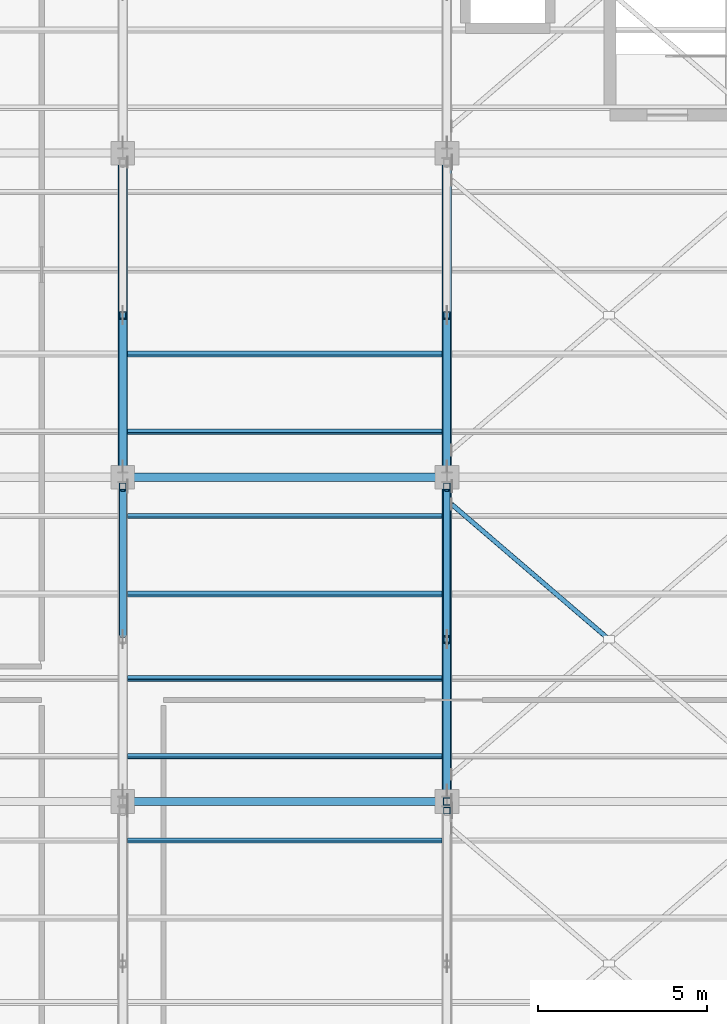
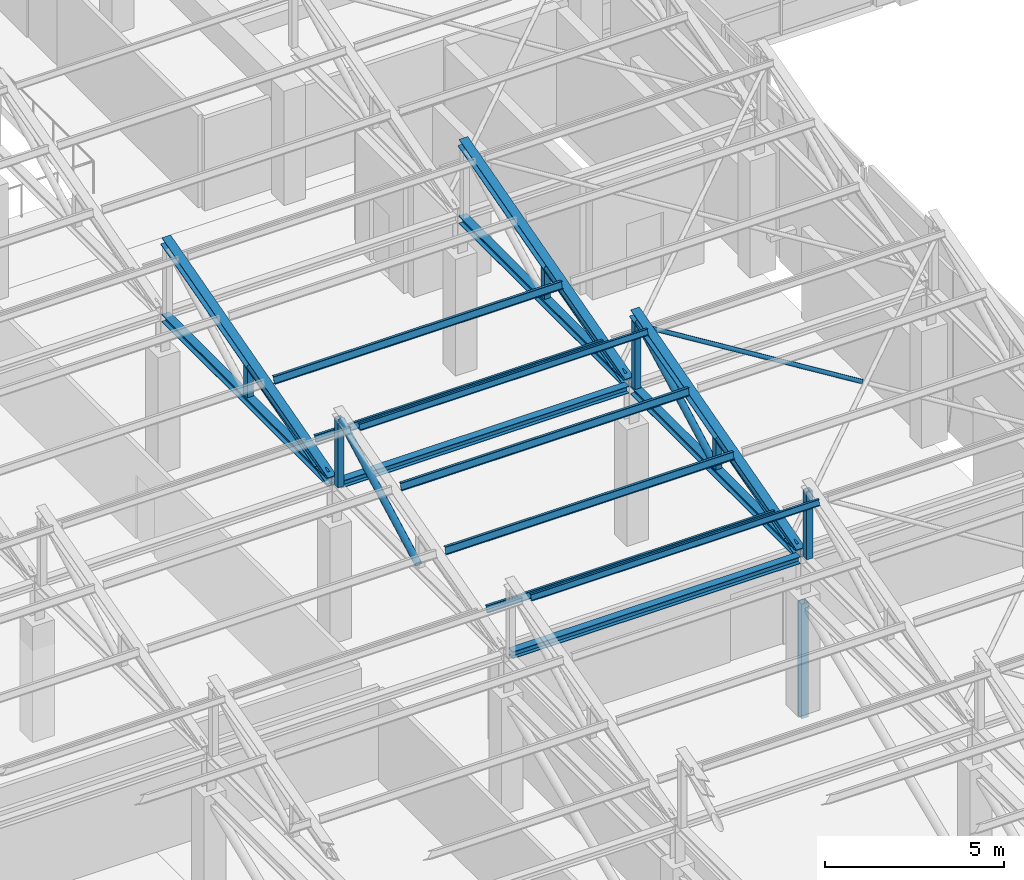
# One storey, part 22 of 71: 26 members, 2 beams.
"""IFC4 building model written with IfcOpenShell, lengths in metres."""

from ifc_helpers import new_model, si_unit, direction, frame, origin, origin_2d, place, context, subcontext, project, spatial, hollow_rectangle, hollow_circle, i_section, extrude, material, material_profile, profile_set, type_object, element, save


model = new_model("IFC4")

# Units and contexts
model_context = context("Model", 3, precision=1e-05, world=origin(), true_north=direction((0.0, 1.0)))
body_context = subcontext(model_context, "Body", "Model", "MODEL_VIEW")
ifc_project = project(units=[si_unit("LENGTHUNIT", "METRE"), si_unit("AREAUNIT", "SQUARE_METRE"), si_unit("VOLUMEUNIT", "CUBIC_METRE"), si_unit("PLANEANGLEUNIT", "RADIAN"), si_unit("MASSUNIT", "GRAM", prefix="KILO")], contexts=[model_context])

# Site, building, storey
site_placement = place(None, origin())
site = spatial("IfcSite", under=ifc_project, at=site_placement, CompositionType="ELEMENT")
building_placement = place(site_placement, origin())
building = spatial("IfcBuilding", under=site, at=building_placement, Name="Bempovik Park Faculty of Sciences", CompositionType="ELEMENT")
storey_placement = place(building_placement, frame((0.0, 0.0, 14.10009765625)))
storey = spatial("IfcBuildingStorey", under=building, at=storey_placement, Name="L03", CompositionType="ELEMENT", Elevation=14.10009765625)

# Beams
ifc_material = material(Name="Steel S355", Category="steel")
ifc_material_profile_1 = material_profile(ifc_material, i_section(OverallWidth=0.239990234375, OverallDepth=0.239990234375, WebThickness=0.010009765625, FlangeThickness=0.01708984375, at=origin_2d()), Name="HEB 240")
ifc_profile_set_1 = profile_set([ifc_material_profile_1], Name="Steel S355")
beam_type = type_object("IfcBeamType", Name="B-042 HEB 240", PredefinedType="BEAM", material=ifc_profile_set_1)
for number, where, z_axis, x_axis, name in (
    (1, (98.550048828125, 39.0, 5.14990234375), (1.0, 0.0, 0.0), (0.0, 1.0, 0.0), "Sawtooth Valley Tie Beam V1-B3 (98.4-108.0)"),
    (2, (98.550048828125, 48.60009765625, 5.14990234375), (1.0, 0.0, 0.0), (0.0, 1.0, 0.0), "Sawtooth Valley Tie Beam V1-B4 (98.4-108.0)"),
):
    element("IfcBeam", number, at=place(storey_placement, frame(where, z_axis=z_axis, x_axis=x_axis)), inside=storey, type_object=beam_type, Name=name, PredefinedType="BEAM", context=body_context, shape_type="SweptSolid", body=[
        extrude(i_section(OverallWidth=0.239990234375, OverallDepth=0.239990234375, WebThickness=0.010009765625, FlangeThickness=0.01708984375, at=origin_2d()), origin(), (0.0, 0.0, 1.0), 9.300048828125),
    ])

# Members
ifc_material_profile_2 = material_profile(ifc_material, i_section(OverallWidth=0.110107421875, OverallDepth=0.219970703125, WebThickness=0.005859375, FlangeThickness=0.00927734375, at=origin_2d()), Name="IPE 220")
ifc_profile_set_2 = profile_set([ifc_material_profile_2], Name="Steel S355")
member_type_1 = type_object("IfcMemberType", Name="M-18 IPE 220", PredefinedType="PURLIN", material=ifc_profile_set_2)
for number, where, z_axis, x_axis, name in (
    (3, (98.5458984375, 40.343994140625, 5.847412109375), (1.0, 0.0, 0.0), (0.0, 0.965925826289, -0.258819045103), "Sawtooth Roof Purlin V1-B3 (98.4-108.0) #1"),
    (4, (98.5458984375, 49.944091796875, 5.847412109375), (1.0, 0.0, 0.0), (0.0, 0.965925826289, -0.258819045103), "Sawtooth Roof Purlin V1-B4 (98.4-108.0) #1"),
):
    element("IfcMember", number, at=place(storey_placement, frame(where, z_axis=z_axis, x_axis=x_axis)), inside=storey, type_object=member_type_1, Name=name, PredefinedType="PURLIN", context=body_context, shape_type="SweptSolid", body=[
        extrude(i_section(OverallWidth=0.110107421875, OverallDepth=0.219970703125, WebThickness=0.005859375, FlangeThickness=0.00927734375, at=origin_2d()), origin(), (0.0, 0.0, 1.0), 9.30810546875),
    ])
ifc_material_profile_3 = material_profile(ifc_material, hollow_circle(Radius=0.109619140625, WallThickness=0.010009765625, at=origin_2d()), Name="CHS 219.1x10")
ifc_profile_set_3 = profile_set([ifc_material_profile_3], Name="Steel S355")
member_type_2 = type_object("IfcMemberType", Name="M-22 CHS 219.1x10", PredefinedType="BRACE", material=ifc_profile_set_3)
for number, where, z_axis, x_axis, name in (
    (5, (98.39990234375, 43.905029296875, 5.285888671875), (0.0, 0.882187464719, 0.470898372361), (-1.0, 0.0, 0.0), "Sawtooth Web Diagonal 2 V1-B3 (98.4)"),
    (6, (108.0, 43.905029296875, 5.285888671875), (0.0, 0.882187464719, 0.470898372361), (-1.0, 0.0, 0.0), "Sawtooth Web Diagonal 2 V1-B3 (108.0)"),
):
    element("IfcMember", number, at=place(storey_placement, frame(where, z_axis=z_axis, x_axis=x_axis)), inside=storey, type_object=member_type_2, Name=name, PredefinedType="BRACE", context=body_context, shape_type="SweptSolid", body=[
        extrude(hollow_circle(Radius=0.109619140625, WallThickness=0.010009765625, at=origin_2d()), origin(), (0.0, 0.0, 1.0), 4.902587890625),
    ])
ifc_material_profile_4 = material_profile(ifc_material, i_section(OverallWidth=0.280029296875, OverallDepth=0.280029296875, WebThickness=0.010498046875, FlangeThickness=0.01806640625, at=origin_2d()), Name="HEB 280")
ifc_profile_set_4 = profile_set([ifc_material_profile_4], Name="Steel S355")
member_type_3 = type_object("IfcMemberType", Name="M-26 HEB 280", PredefinedType="CHORD", material=ifc_profile_set_4)
member_1_placement = place(storey_placement, frame((108.0, 39.156005859375, 5.212158203125), z_axis=(0.0, 0.963725210394, 0.266896457173), x_axis=(-1.0, 0.0, 0.0)))
element("IfcMember", 7, at=member_1_placement, inside=storey, type_object=member_type_3, Name="Sawtooth Top Rafter Chord V1-B3 (108.0)", PredefinedType="CHORD", context=body_context, shape_type="SweptSolid", body=[
    extrude(i_section(OverallWidth=0.280029296875, OverallDepth=0.280029296875, WebThickness=0.010498046875, FlangeThickness=0.01806640625, at=origin_2d()), origin(), (0.0, 0.0, 1.0), 9.6376953125),
])
for number, where, z_axis, x_axis, name in (
    (8, (98.39990234375, 48.756103515625, 5.212158203125), (0.0, 0.963723405845, 0.266902973056), (-1.0, 0.0, 0.0), "Sawtooth Top Rafter Chord V1-B4 (98.4)"),
    (9, (108.0, 48.756103515625, 5.212158203125), (0.0, 0.963723405845, 0.266902973056), (-1.0, 0.0, 0.0), "Sawtooth Top Rafter Chord V1-B4 (108.0)"),
):
    element("IfcMember", number, at=place(storey_placement, frame(where, z_axis=z_axis, x_axis=x_axis)), inside=storey, type_object=member_type_3, Name=name, PredefinedType="CHORD", context=body_context, shape_type="SweptSolid", body=[
        extrude(i_section(OverallWidth=0.280029296875, OverallDepth=0.280029296875, WebThickness=0.010498046875, FlangeThickness=0.01806640625, at=origin_2d()), origin(), (0.0, 0.0, 1.0), 9.637451171875),
    ])
ifc_material_profile_5 = material_profile(ifc_material, hollow_rectangle(XDim=0.219970703125, YDim=0.219970703125, WallThickness=0.010009765625, at=origin_2d()), Name="SHS 220x220x10")
ifc_profile_set_5 = profile_set([ifc_material_profile_5], Name="Steel S355")
member_type_4 = type_object("IfcMemberType", Name="M-32 SHS 220x220x10", PredefinedType="POST", material=ifc_profile_set_5)
member_2_placement = place(storey_placement, frame((108.0, 39.0, -0.294189453125), z_axis=(0.0, 0.0, 1.0), x_axis=(1.0, 0.0, 0.0)))
element("IfcMember", 10, at=member_2_placement, inside=storey, type_object=member_type_4, Name="Cantilever Truss 6 L03 Post 5", PredefinedType="POST", context=body_context, shape_type="SweptSolid", body=[
    extrude(hollow_rectangle(XDim=0.219970703125, YDim=0.219970703125, WallThickness=0.010009765625, at=origin_2d()), origin(), (0.0, 0.0, 1.0), 3.908203125),
])
ifc_material_profile_6 = material_profile(ifc_material, hollow_rectangle(XDim=0.199951171875, YDim=0.199951171875, WallThickness=0.010009765625, at=origin_2d()), Name="SHS 200x200x10")
ifc_profile_set_6 = profile_set([ifc_material_profile_6], Name="Steel S355")
member_type_5 = type_object("IfcMemberType", Name="M-44 SHS 200x200x10", PredefinedType="POST", material=ifc_profile_set_6)
for number, where, z_axis, x_axis, name in (
    (11, (108.0, 38.72998046875, 5.285888671875), (0.0, 0.0, 1.0), (1.0, 0.0, 0.0), "Sawtooth North-Light Post V1-B2 (108.0)"),
    (12, (98.39990234375, 48.330078125, 5.285888671875), (0.0, 0.0, 1.0), (1.0, 0.0, 0.0), "Sawtooth North-Light Post V1-B3 (98.4)"),
    (13, (108.0, 48.330078125, 5.285888671875), (0.0, 0.0, 1.0), (1.0, 0.0, 0.0), "Sawtooth North-Light Post V1-B3 (108.0)"),
):
    element("IfcMember", number, at=place(storey_placement, frame(where, z_axis=z_axis, x_axis=x_axis)), inside=storey, type_object=member_type_5, Name=name, PredefinedType="POST", context=body_context, shape_type="SweptSolid", body=[
        extrude(hollow_rectangle(XDim=0.199951171875, YDim=0.199951171875, WallThickness=0.010009765625, at=origin_2d()), origin(), (0.0, 0.0, 1.0), 2.30859375),
    ])
for number, where, z_axis, x_axis, name in (
    (14, (108.0, 43.800048828125, 5.285888671875), (0.0, 0.0, 1.0), (1.0, 0.0, 0.0), "Sawtooth Mid Post V1-B3 (108.0)"),
    (15, (98.39990234375, 53.39990234375, 5.285888671875), (0.0, 0.0, 1.0), (1.0, 0.0, 0.0), "Sawtooth Mid Post V1-B4 (98.4)"),
    (16, (108.0, 53.39990234375, 5.285888671875), (0.0, 0.0, 1.0), (1.0, 0.0, 0.0), "Sawtooth Mid Post V1-B4 (108.0)"),
):
    element("IfcMember", number, at=place(storey_placement, frame(where, z_axis=z_axis, x_axis=x_axis)), inside=storey, type_object=member_type_5, Name=name, PredefinedType="POST", context=body_context, shape_type="SweptSolid", body=[
        extrude(hollow_rectangle(XDim=0.199951171875, YDim=0.199951171875, WallThickness=0.010009765625, at=origin_2d()), origin(), (0.0, 0.0, 1.0), 1.052490234375),
    ])
ifc_material_profile_7 = material_profile(ifc_material, i_section(OverallWidth=0.10009765625, OverallDepth=0.199951171875, WebThickness=0.005615234375, FlangeThickness=0.008544921875, at=origin_2d()), Name="IPE 200")
ifc_profile_set_7 = profile_set([ifc_material_profile_7], Name="Steel S355")
member_type_6 = type_object("IfcMemberType", Name="M-48 IPE 200", PredefinedType="PURLIN", material=ifc_profile_set_7)
for number, where, z_axis, x_axis, name in (
    (17, (98.5458984375, 37.847900390625, 7.7607421875), (1.0, 0.0, 0.0), (0.0, 0.965925826289, -0.258819045103), "Sawtooth Roof Purlin V1-B2 (98.4-108.0) #4"),
    (18, (98.5458984375, 47.447998046875, 7.7607421875), (1.0, 0.0, 0.0), (0.0, 0.965925826289, -0.258819045103), "Sawtooth Roof Purlin V1-B3 (98.4-108.0) #4"),
):
    element("IfcMember", number, at=place(storey_placement, frame(where, z_axis=z_axis, x_axis=x_axis)), inside=storey, type_object=member_type_6, Name=name, PredefinedType="PURLIN", context=body_context, shape_type="SweptSolid", body=[
        extrude(i_section(OverallWidth=0.10009765625, OverallDepth=0.199951171875, WebThickness=0.005615234375, FlangeThickness=0.008544921875, at=origin_2d()), origin(), (0.0, 0.0, 1.0), 9.30810546875),
    ])
ifc_material_profile_8 = material_profile(ifc_material, i_section(OverallWidth=0.260009765625, OverallDepth=0.260009765625, WebThickness=0.010009765625, FlangeThickness=0.017578125, at=origin_2d()), Name="HEB 260")
ifc_profile_set_8 = profile_set([ifc_material_profile_8], Name="Steel S355")
member_type_7 = type_object("IfcMemberType", Name="M-58 HEB 260", PredefinedType="CHORD", material=ifc_profile_set_8)
member_3_placement = place(storey_placement, frame((108.0, 39.156005859375, 5.14990234375), z_axis=(0.0, 1.0, 0.0), x_axis=(-1.0, 0.0, 0.0)))
element("IfcMember", 19, at=member_3_placement, inside=storey, type_object=member_type_7, Name="Sawtooth Bottom Chord V1-B3 (108.0)", PredefinedType="CHORD", context=body_context, shape_type="SweptSolid", body=[
    extrude(i_section(OverallWidth=0.260009765625, OverallDepth=0.260009765625, WebThickness=0.010009765625, FlangeThickness=0.017578125, at=origin_2d()), origin(), (0.0, 0.0, 1.0), 9.2880859375),
])
for number, where, z_axis, x_axis, name in (
    (20, (98.39990234375, 48.756103515625, 5.14990234375), (0.0, 1.0, 0.0), (-1.0, 0.0, 0.0), "Sawtooth Bottom Chord V1-B4 (98.4)"),
    (21, (108.0, 48.756103515625, 5.14990234375), (0.0, 1.0, 0.0), (-1.0, 0.0, 0.0), "Sawtooth Bottom Chord V1-B4 (108.0)"),
):
    element("IfcMember", number, at=place(storey_placement, frame(where, z_axis=z_axis, x_axis=x_axis)), inside=storey, type_object=member_type_7, Name=name, PredefinedType="CHORD", context=body_context, shape_type="SweptSolid", body=[
        extrude(i_section(OverallWidth=0.260009765625, OverallDepth=0.260009765625, WebThickness=0.010009765625, FlangeThickness=0.017578125, at=origin_2d()), origin(), (0.0, 0.0, 1.0), 9.287841796875),
    ])
ifc_material_profile_9 = material_profile(ifc_material, hollow_circle(Radius=0.122314453125, WallThickness=0.010009765625, at=origin_2d()), Name="CHS 244.5x10")
ifc_profile_set_9 = profile_set([ifc_material_profile_9], Name="Steel S355")
member_type_8 = type_object("IfcMemberType", Name="M-82 CHS 244.5x10", PredefinedType="BRACE", material=ifc_profile_set_9)
for number, where, z_axis, x_axis, name in (
    (22, (108.0, 39.330078125, 5.285888671875), (0.0, 0.972139485331, 0.234403116576), (-1.0, 0.0, 0.0), "Sawtooth Web Diagonal 1 V1-B3 (108.0)"),
    (23, (98.39990234375, 48.929931640625, 5.285888671875), (0.0, 0.972139485331, 0.234403116576), (-1.0, 0.0, 0.0), "Sawtooth Web Diagonal 1 V1-B4 (98.4)"),
    (24, (108.0, 48.929931640625, 5.285888671875), (0.0, 0.972139485331, 0.234403116576), (-1.0, 0.0, 0.0), "Sawtooth Web Diagonal 1 V1-B4 (108.0)"),
):
    element("IfcMember", number, at=place(storey_placement, frame(where, z_axis=z_axis, x_axis=x_axis)), inside=storey, type_object=member_type_8, Name=name, PredefinedType="BRACE", context=body_context, shape_type="SweptSolid", body=[
        extrude(hollow_circle(Radius=0.122314453125, WallThickness=0.010009765625, at=origin_2d()), origin(), (0.0, 0.0, 1.0), 4.489990234375),
    ])
ifc_material_profile_10 = material_profile(ifc_material, hollow_circle(Radius=0.06982421875, WallThickness=0.00634765625, at=origin_2d()), Name="CHS 139.7x6.3")
ifc_profile_set_10 = profile_set([ifc_material_profile_10], Name="Steel S355")
member_type_9 = type_object("IfcMemberType", Name="M-83 CHS 139.7x6.3", PredefinedType="BRACE", material=ifc_profile_set_10)
member_4_placement = place(storey_placement, frame((108.139892578125, 47.800048828125, 7.5703125), z_axis=(0.747490158812, -0.641636778891, -0.171932272867), x_axis=(0.651335971051, 0.758789465408, 0.0)))
element("IfcMember", 25, at=member_4_placement, inside=storey, type_object=member_type_9, Name="Sawtooth Split X-Brace Half A V1-B3 (108.0-117.6)", PredefinedType="BRACE", context=body_context, shape_type="SweptSolid", body=[
    extrude(hollow_circle(Radius=0.06982421875, WallThickness=0.00634765625, at=origin_2d()), origin(), (0.0, 0.0, 1.0), 6.144287109375),
])
ifc_material_profile_11 = material_profile(ifc_material, i_section(OverallWidth=0.1201171875, OverallDepth=0.239990234375, WebThickness=0.006103515625, FlangeThickness=0.009765625, at=origin_2d()), Name="IPE 240")
ifc_profile_set_11 = profile_set([ifc_material_profile_11], Name="Steel S355")
member_type_10 = type_object("IfcMemberType", Name="M-86 IPE 240", PredefinedType="PURLIN", material=ifc_profile_set_11)
for number, where, z_axis, x_axis, name in (
    (26, (98.5458984375, 42.64794921875, 6.45458984375), (1.0, 0.0, 0.0), (0.0, 0.965925826289, -0.258819045103), "Sawtooth Roof Purlin V1-B3 (98.4-108.0) #2"),
    (27, (98.5458984375, 45.14404296875, 7.12353515625), (1.0, 0.0, 0.0), (0.0, 0.965925826289, -0.258819045103), "Sawtooth Roof Purlin V1-B3 (98.4-108.0) #3"),
    (28, (98.5458984375, 52.248046875, 6.45458984375), (1.0, 0.0, 0.0), (0.0, 0.965925826289, -0.258819045103), "Sawtooth Roof Purlin V1-B4 (98.4-108.0) #2"),
):
    element("IfcMember", number, at=place(storey_placement, frame(where, z_axis=z_axis, x_axis=x_axis)), inside=storey, type_object=member_type_10, Name=name, PredefinedType="PURLIN", context=body_context, shape_type="SweptSolid", body=[
        extrude(i_section(OverallWidth=0.1201171875, OverallDepth=0.239990234375, WebThickness=0.006103515625, FlangeThickness=0.009765625, at=origin_2d()), origin(), (0.0, 0.0, 1.0), 9.30810546875),
    ])

save(model, "model.ifc")
